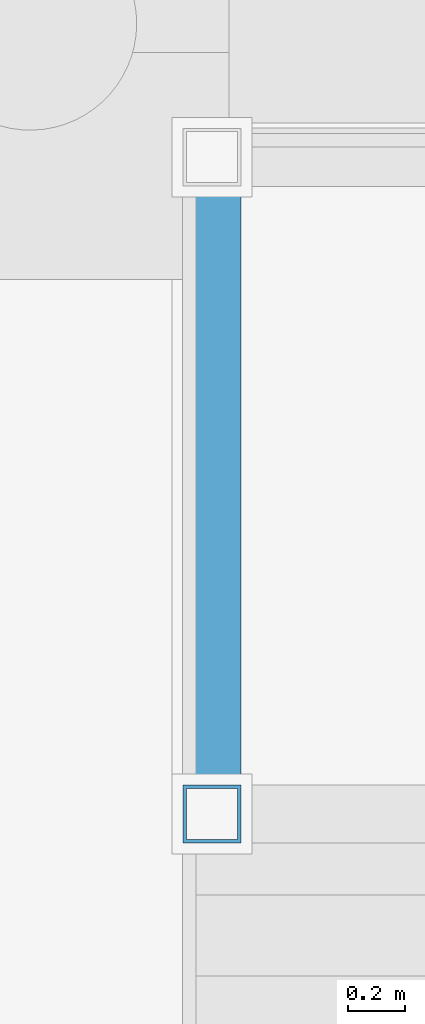
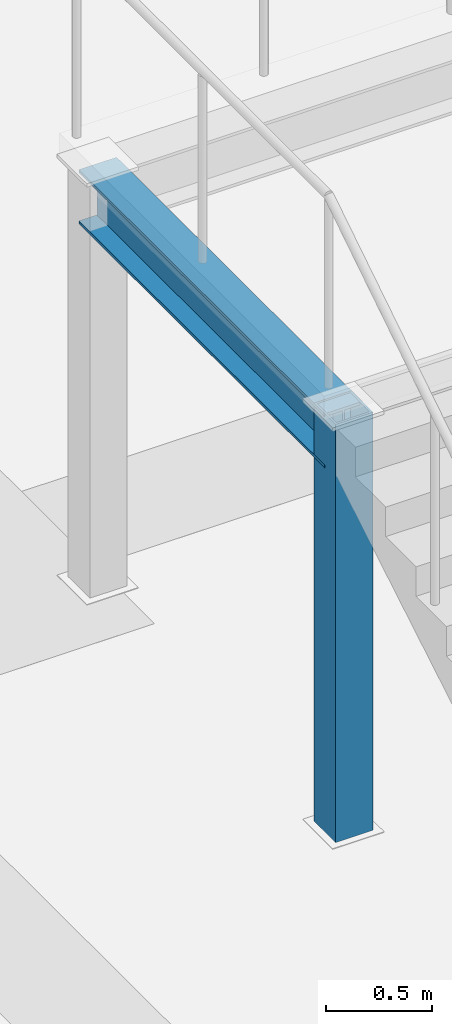
# One storey, part 30 of 119: 1 beam, 1 member.
"""IFC4 building model written with IfcOpenShell, lengths in metres."""

from ifc_helpers import new_model, si_unit, derived_unit, direction, frame, origin, origin_2d, place, context, subcontext, project, spatial, hollow_rectangle, i_section, extrude, material, material_profile, profile_set, type_object, element, save


model = new_model("IFC4")

# Units and contexts
model_context = context("Model", 3, precision=1e-05, world=origin(), true_north=direction((0.0, 1.0)))
body_context = subcontext(model_context, "Body", "Model", "MODEL_VIEW")
ifc_project = project(units=[si_unit("LENGTHUNIT", "METRE"), si_unit("AREAUNIT", "SQUARE_METRE"), si_unit("VOLUMEUNIT", "CUBIC_METRE"), si_unit("PLANEANGLEUNIT", "RADIAN"), si_unit("MASSUNIT", "GRAM", prefix="KILO"), derived_unit("THERMALTRANSMITTANCEUNIT", [(si_unit("MASSUNIT", "GRAM", prefix="KILO"), 1), (si_unit("TIMEUNIT", "SECOND"), -3), (si_unit("THERMODYNAMICTEMPERATUREUNIT", "KELVIN"), -1)])], contexts=[model_context])

# Site, building, storey
site_placement = place(None, origin())
site = spatial("IfcSite", under=ifc_project, at=site_placement, CompositionType="ELEMENT")
building_placement = place(site_placement, origin())
building = spatial("IfcBuilding", under=site, at=building_placement, Name="Makaiwela Harbour Ferry Terminal", CompositionType="ELEMENT")
storey_placement = place(building_placement, origin())
storey = spatial("IfcBuildingStorey", under=building, at=storey_placement, Name="L00", CompositionType="ELEMENT", Elevation=0.0)

# Beam
ifc_material_1 = material(Name="Steel ASTM A992 Grade 50", Category="steel")
ifc_material_profile_1 = material_profile(ifc_material_1, i_section(OverallWidth=0.205078125, OverallDepth=0.31005859375, WebThickness=0.009521484375, FlangeThickness=0.016357421875, at=origin_2d()), Name="W12X50")
ifc_profile_set_1 = profile_set([ifc_material_profile_1], Name="Steel ASTM A992 Grade 50")
beam_type = type_object("IfcBeamType", Name="STR-LNT-W12X50", PredefinedType="LINTEL", material=ifc_profile_set_1)
beam_placement = place(storey_placement, frame((73.239990234375, 14.02001953125, 2.2451171875), z_axis=(0.0, 1.0, 0.0), x_axis=(-1.0, 0.0, 0.0)))
element("IfcBeam", 1, at=beam_placement, inside=storey, type_object=beam_type, Name="Stair Landing Side Beam ST-07-L00-L", PredefinedType="LINTEL", context=body_context, shape_type="SweptSolid", body=[
    extrude(i_section(OverallWidth=0.205078125, OverallDepth=0.31005859375, WebThickness=0.009521484375, FlangeThickness=0.016357421875, at=origin_2d()), origin(), (0.0, 0.0, 1.0), 2.31005859375),
])

# Member
ifc_material_2 = material(Name="Steel ASTM A500 Grade C", Category="steel")
ifc_material_profile_2 = material_profile(ifc_material_2, hollow_rectangle(XDim=0.202880859375, YDim=0.202880859375, WallThickness=0.01171875, at=origin_2d()), Name="HSS8X8X1/2")
ifc_profile_set_2 = profile_set([ifc_material_profile_2], Name="Steel ASTM A500 Grade C")
member_type = type_object("IfcMemberType", Name="STR-PST-HSS8", PredefinedType="POST", material=ifc_profile_set_2)
member_placement = place(storey_placement, frame((73.239990234375, 14.02001953125, 0.0), z_axis=(0.0, 0.0, 1.0), x_axis=(1.0, 0.0, 0.0)))
element("IfcMember", 2, at=member_placement, inside=storey, type_object=member_type, Name="Stair Landing Post ST-07-L00-P1", PredefinedType="POST", context=body_context, shape_type="SweptSolid", body=[
    extrude(hollow_rectangle(XDim=0.202880859375, YDim=0.202880859375, WallThickness=0.01171875, at=origin_2d()), origin(), (0.0, 0.0, 1.0), 2.39990234375),
])

save(model, "model.ifc")
